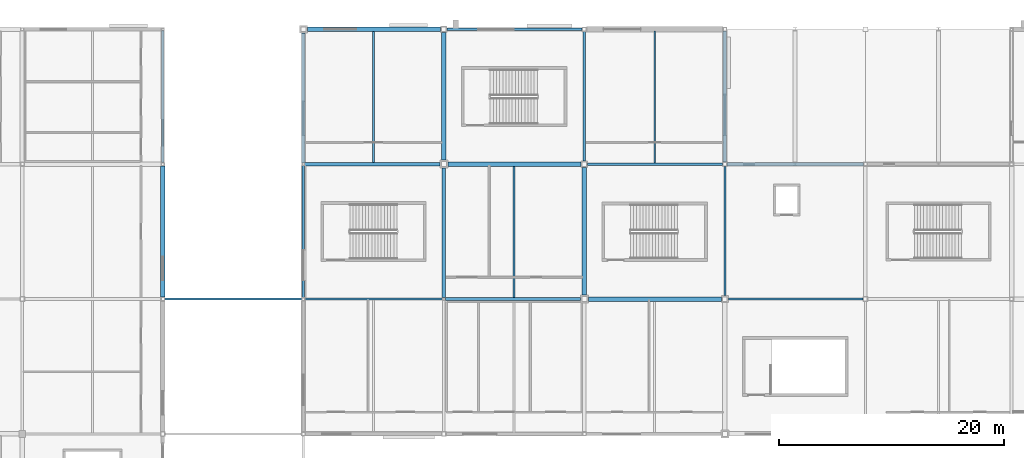
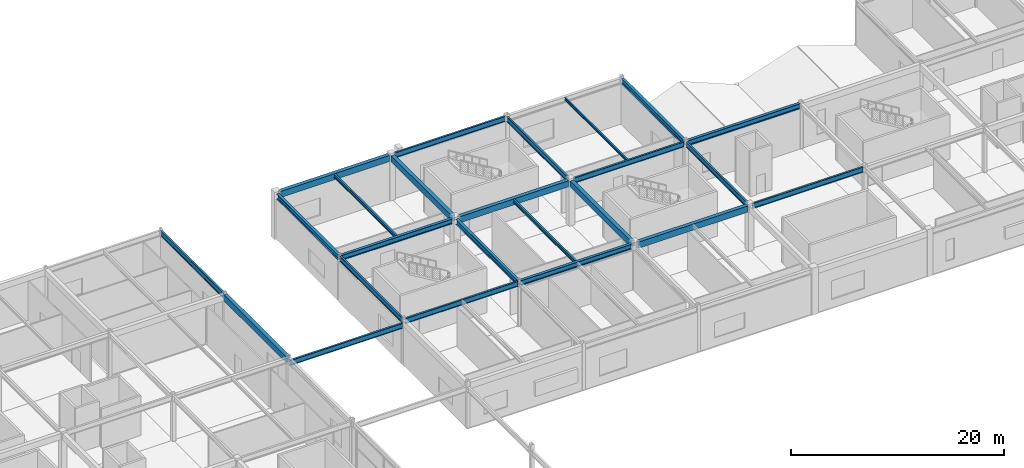
# One storey, part 52 of 105: 24 beams.
"""IFC4 building model written with IfcOpenShell, lengths in metres."""

from ifc_helpers import new_model, si_unit, direction, frame, origin, origin_2d, place, context, subcontext, project, spatial, rectangle, i_section, extrude, material, material_profile, profile_set, type_object, element, save


model = new_model("IFC4")

# Units and contexts
model_context = context("Model", 3, precision=1e-05, world=origin(), true_north=direction((0.0, 1.0)))
body_context = subcontext(model_context, "Body", "Model", "MODEL_VIEW")
ifc_project = project(units=[si_unit("LENGTHUNIT", "METRE"), si_unit("AREAUNIT", "SQUARE_METRE"), si_unit("VOLUMEUNIT", "CUBIC_METRE"), si_unit("PLANEANGLEUNIT", "RADIAN"), si_unit("MASSUNIT", "GRAM", prefix="KILO")], contexts=[model_context])

# Site, building, storey
site_placement = place(None, origin())
site = spatial("IfcSite", under=ifc_project, at=site_placement, CompositionType="ELEMENT")
building_placement = place(site_placement, origin())
building = spatial("IfcBuilding", under=site, at=building_placement, Name="Kazenohara Klinker Stadium", CompositionType="ELEMENT")
storey_placement = place(building_placement, frame((0.0, 0.0, 20.39990234375)))
storey = spatial("IfcBuildingStorey", under=building, at=storey_placement, Name="L04", CompositionType="ELEMENT", Elevation=20.39990234375)

# Beams
ifc_material_1 = material(Name="Steel S355", Category="steel")
ifc_material_profile_1 = material_profile(ifc_material_1, i_section(OverallWidth=0.199951171875, OverallDepth=0.39990234375, WebThickness=0.008056640625, FlangeThickness=0.012939453125, FilletRadius=0.012939453125, at=origin_2d()), Name="H-400x200x8x13")
ifc_profile_set_1 = profile_set([ifc_material_profile_1], Name="Steel S355")
beam_type_1 = type_object("IfcBeamType", Name="BM-JST03", PredefinedType="JOIST", material=ifc_profile_set_1)
for number, where, z_axis, x_axis, name in (
    (1, (55.25, 156.14990234375, 4.97998046875), (0.0, 1.0, 0.0), (-1.0, 0.0, 0.0), "Secondary floor joist SJ03 L04 5/P"),
    (2, (67.75, 144.14990234375, 4.97998046875), (0.0, 1.0, 0.0), (-1.0, 0.0, 0.0), "Secondary floor joist SJ03 L04 6/N"),
):
    element("IfcBeam", number, at=place(storey_placement, frame(where, z_axis=z_axis, x_axis=x_axis)), inside=storey, type_object=beam_type_1, Name=name, PredefinedType="JOIST", context=body_context, shape_type="SweptSolid", body=[
        extrude(i_section(OverallWidth=0.199951171875, OverallDepth=0.39990234375, WebThickness=0.008056640625, FlangeThickness=0.012939453125, FilletRadius=0.012939453125, at=origin_2d()), origin(), (0.0, 0.0, 1.0), 11.650146484375),
    ])
ifc_material_profile_2 = material_profile(ifc_material_1, i_section(OverallWidth=0.14990234375, OverallDepth=0.300048828125, WebThickness=0.006591796875, FlangeThickness=0.009033203125, FilletRadius=0.012939453125, at=origin_2d()), Name="H-300x150x6.5x9")
ifc_profile_set_2 = profile_set([ifc_material_profile_2], Name="Steel S355")
beam_type_2 = type_object("IfcBeamType", Name="BM-JST05", PredefinedType="JOIST", material=ifc_profile_set_2)
beam_1_placement = place(storey_placement, frame((80.25, 156.10009765625, 5.030029296875), z_axis=(0.0, 1.0, 0.0), x_axis=(-1.0, 0.0, 0.0)))
element("IfcBeam", 3, at=beam_1_placement, inside=storey, type_object=beam_type_2, Name="Secondary floor joist SJ05 L04 7/P", PredefinedType="JOIST", context=body_context, shape_type="SweptSolid", body=[
    extrude(i_section(OverallWidth=0.14990234375, OverallDepth=0.300048828125, WebThickness=0.006591796875, FlangeThickness=0.009033203125, FilletRadius=0.012939453125, at=origin_2d()), origin(), (0.0, 0.0, 1.0), 11.75),
])
ifc_material_2 = material(Name="Concrete C40/50", Category="concrete")
ifc_material_profile_3 = material_profile(ifc_material_2, rectangle(XDim=0.39990234375, YDim=0.699951171875, at=origin_2d()), Name="RC-BM-400x700")
ifc_profile_set_3 = profile_set([ifc_material_profile_3], Name="Concrete C40/50")
beam_type_3 = type_object("IfcBeamType", Name="BM-RC04", PredefinedType="BEAM", material=ifc_profile_set_3)
for number, where, z_axis, x_axis, name in (
    (4, (49.35009765625, 168.0, 4.830078125), (1.0, 0.0, 0.0), (0.0, 1.0, 0.0), "Primary girder BG04 L04 5-6/Q"),
    (5, (61.85009765625, 156.0, 4.830078125), (1.0, 0.0, 0.0), (0.0, 1.0, 0.0), "Primary girder BG04 L04 6-7/P"),
    (6, (74.35009765625, 144.0, 4.830078125), (1.0, 0.0, 0.0), (0.0, 1.0, 0.0), "Primary girder BG04 L04 7-8/N"),
):
    element("IfcBeam", number, at=place(storey_placement, frame(where, z_axis=z_axis, x_axis=x_axis)), inside=storey, type_object=beam_type_3, Name=name, PredefinedType="BEAM", context=body_context, shape_type="SweptSolid", body=[
        extrude(rectangle(XDim=0.39990234375, YDim=0.699951171875, at=origin_2d()), origin(), (0.0, 0.0, 1.0), 11.849853515625),
    ])
beam_2_placement = place(storey_placement, frame((36.5, 144.175048828125, 4.830078125), z_axis=(0.0, 1.0, 0.0), x_axis=(-1.0, 0.0, 0.0)))
element("IfcBeam", 7, at=beam_2_placement, inside=storey, type_object=beam_type_3, Name="Primary girder BG04 L04 4/N-P", PredefinedType="BEAM", context=body_context, shape_type="SweptSolid", body=[
    extrude(rectangle(XDim=0.39990234375, YDim=0.699951171875, at=origin_2d()), origin(), (0.0, 0.0, 1.0), 11.675048828125),
])
for number, where, z_axis, x_axis, name in (
    (8, (61.5, 156.35009765625, 4.830078125), (0.0, 1.0, 0.0), (-1.0, 0.0, 0.0), "Primary girder BG04 L04 6/P-Q"),
    (9, (74.0, 144.35009765625, 4.830078125), (0.0, 1.0, 0.0), (-1.0, 0.0, 0.0), "Primary girder BG04 L04 7/N-P"),
):
    element("IfcBeam", number, at=place(storey_placement, frame(where, z_axis=z_axis, x_axis=x_axis)), inside=storey, type_object=beam_type_3, Name=name, PredefinedType="BEAM", context=body_context, shape_type="SweptSolid", body=[
        extrude(rectangle(XDim=0.39990234375, YDim=0.699951171875, at=origin_2d()), origin(), (0.0, 0.0, 1.0), 11.349853515625),
    ])
ifc_material_profile_4 = material_profile(ifc_material_1, i_section(OverallWidth=0.199951171875, OverallDepth=0.60009765625, WebThickness=0.010986328125, FlangeThickness=0.01708984375, FilletRadius=0.012939453125, at=origin_2d()), Name="H-600x200x11x17")
ifc_profile_set_4 = profile_set([ifc_material_profile_4], Name="Steel S355")
beam_type_4 = type_object("IfcBeamType", Name="BM-ST04", PredefinedType="BEAM", material=ifc_profile_set_4)
beam_3_placement = place(storey_placement, frame((49.14990234375, 144.0, 4.880126953125), z_axis=(1.0, 0.0, 0.0), x_axis=(0.0, 1.0, 0.0)))
element("IfcBeam", 10, at=beam_3_placement, inside=storey, type_object=beam_type_4, Name="Primary girder SB04 L04 5-6/N", PredefinedType="BEAM", context=body_context, shape_type="SweptSolid", body=[
    extrude(i_section(OverallWidth=0.199951171875, OverallDepth=0.60009765625, WebThickness=0.010986328125, FlangeThickness=0.01708984375, FilletRadius=0.012939453125, at=origin_2d()), origin(), (0.0, 0.0, 1.0), 12.22509765625),
])
for number, where, z_axis, x_axis, name in (
    (11, (61.800048828125, 168.0, 4.880126953125), (1.0, 0.0, 0.0), (0.0, 1.0, 0.0), "Primary girder SB04 L04 6-7/Q"),
    (12, (74.300048828125, 156.0, 4.880126953125), (1.0, 0.0, 0.0), (0.0, 1.0, 0.0), "Primary girder SB04 L04 7-8/P"),
    (13, (86.800048828125, 144.0, 4.880126953125), (1.0, 0.0, 0.0), (0.0, 1.0, 0.0), "Primary girder SB04 L04 8-9/N"),
):
    element("IfcBeam", number, at=place(storey_placement, frame(where, z_axis=z_axis, x_axis=x_axis)), inside=storey, type_object=beam_type_4, Name=name, PredefinedType="BEAM", context=body_context, shape_type="SweptSolid", body=[
        extrude(i_section(OverallWidth=0.199951171875, OverallDepth=0.60009765625, WebThickness=0.010986328125, FlangeThickness=0.01708984375, FilletRadius=0.012939453125, at=origin_2d()), origin(), (0.0, 0.0, 1.0), 12.0),
    ])
for number, where, z_axis, x_axis, name in (
    (14, (36.5, 156.14990234375, 4.880126953125), (0.0, 1.0, 0.0), (-1.0, 0.0, 0.0), "Primary girder SB04 L04 4/P-Q"),
    (15, (49.0, 144.14990234375, 4.880126953125), (0.0, 1.0, 0.0), (-1.0, 0.0, 0.0), "Primary girder SB04 L04 5/N-P"),
):
    element("IfcBeam", number, at=place(storey_placement, frame(where, z_axis=z_axis, x_axis=x_axis)), inside=storey, type_object=beam_type_4, Name=name, PredefinedType="BEAM", context=body_context, shape_type="SweptSolid", body=[
        extrude(i_section(OverallWidth=0.199951171875, OverallDepth=0.60009765625, WebThickness=0.010986328125, FlangeThickness=0.01708984375, FilletRadius=0.012939453125, at=origin_2d()), origin(), (0.0, 0.0, 1.0), 11.72509765625),
    ])
for number, where, z_axis, x_axis, name in (
    (16, (74.0, 156.300048828125, 4.880126953125), (0.0, 1.0, 0.0), (-1.0, 0.0, 0.0), "Primary girder SB04 L04 7/P-Q"),
    (17, (86.5, 144.300048828125, 4.880126953125), (0.0, 1.0, 0.0), (-1.0, 0.0, 0.0), "Primary girder SB04 L04 8/N-P"),
):
    element("IfcBeam", number, at=place(storey_placement, frame(where, z_axis=z_axis, x_axis=x_axis)), inside=storey, type_object=beam_type_4, Name=name, PredefinedType="BEAM", context=body_context, shape_type="SweptSolid", body=[
        extrude(i_section(OverallWidth=0.199951171875, OverallDepth=0.60009765625, WebThickness=0.010986328125, FlangeThickness=0.01708984375, FilletRadius=0.012939453125, at=origin_2d()), origin(), (0.0, 0.0, 1.0), 11.5),
    ])
beam_4_placement = place(storey_placement, frame((36.639892578125, 144.0, 4.4501953125), z_axis=(1.0, 0.0, 0.0), x_axis=(0.0, 1.0, 0.0)))
element("IfcBeam", 18, at=beam_4_placement, inside=storey, type_object=beam_type_4, Name="Canopy tie girder SB04 L04 4-5/N", PredefinedType="BEAM", context=body_context, shape_type="SweptSolid", body=[
    extrude(i_section(OverallWidth=0.199951171875, OverallDepth=0.60009765625, WebThickness=0.010986328125, FlangeThickness=0.01708984375, FilletRadius=0.012939453125, at=origin_2d()), origin(), (0.0, 0.0, 1.0), 12.22021484375),
])
ifc_material_profile_5 = material_profile(ifc_material_1, i_section(OverallWidth=0.300048828125, OverallDepth=0.587890625, WebThickness=0.011962890625, FlangeThickness=0.02001953125, FilletRadius=0.02197265625, at=origin_2d()), Name="H-588x300x12x20")
ifc_profile_set_5 = profile_set([ifc_material_profile_5], Name="Steel S355")
beam_type_5 = type_object("IfcBeamType", Name="BM-ST05", PredefinedType="BEAM", material=ifc_profile_set_5)
for number, where, z_axis, x_axis, name in (
    (19, (49.125, 156.0, 4.885986328125), (1.0, 0.0, 0.0), (0.0, 1.0, 0.0), "Primary girder SB05 L04 5-6/P"),
    (20, (61.625, 144.0, 4.885986328125), (1.0, 0.0, 0.0), (0.0, 1.0, 0.0), "Primary girder SB05 L04 6-7/N"),
):
    element("IfcBeam", number, at=place(storey_placement, frame(where, z_axis=z_axis, x_axis=x_axis)), inside=storey, type_object=beam_type_5, Name=name, PredefinedType="BEAM", context=body_context, shape_type="SweptSolid", body=[
        extrude(i_section(OverallWidth=0.300048828125, OverallDepth=0.587890625, WebThickness=0.011962890625, FlangeThickness=0.02001953125, FilletRadius=0.02197265625, at=origin_2d()), origin(), (0.0, 0.0, 1.0), 12.02490234375),
    ])
beam_5_placement = place(storey_placement, frame((86.699951171875, 156.0, 4.885986328125), z_axis=(1.0, 0.0, 0.0), x_axis=(0.0, 1.0, 0.0)))
element("IfcBeam", 21, at=beam_5_placement, inside=storey, type_object=beam_type_5, Name="Primary girder SB05 L04 8-9/P", PredefinedType="BEAM", context=body_context, shape_type="SweptSolid", body=[
    extrude(i_section(OverallWidth=0.300048828125, OverallDepth=0.587890625, WebThickness=0.011962890625, FlangeThickness=0.02001953125, FilletRadius=0.02197265625, at=origin_2d()), origin(), (0.0, 0.0, 1.0), 12.125),
])
for number, where, z_axis, x_axis, name in (
    (22, (49.0, 156.125, 4.885986328125), (0.0, 1.0, 0.0), (-1.0, 0.0, 0.0), "Primary girder SB05 L04 5/P-Q"),
    (23, (61.5, 144.125, 4.885986328125), (0.0, 1.0, 0.0), (-1.0, 0.0, 0.0), "Primary girder SB05 L04 6/N-P"),
):
    element("IfcBeam", number, at=place(storey_placement, frame(where, z_axis=z_axis, x_axis=x_axis)), inside=storey, type_object=beam_type_5, Name=name, PredefinedType="BEAM", context=body_context, shape_type="SweptSolid", body=[
        extrude(i_section(OverallWidth=0.300048828125, OverallDepth=0.587890625, WebThickness=0.011962890625, FlangeThickness=0.02001953125, FilletRadius=0.02197265625, at=origin_2d()), origin(), (0.0, 0.0, 1.0), 11.52490234375),
    ])
beam_6_placement = place(storey_placement, frame((86.5, 156.199951171875, 4.885986328125), z_axis=(0.0, 1.0, 0.0), x_axis=(-1.0, 0.0, 0.0)))
element("IfcBeam", 24, at=beam_6_placement, inside=storey, type_object=beam_type_5, Name="Primary girder SB05 L04 8/P-Q", PredefinedType="BEAM", context=body_context, shape_type="SweptSolid", body=[
    extrude(i_section(OverallWidth=0.300048828125, OverallDepth=0.587890625, WebThickness=0.011962890625, FlangeThickness=0.02001953125, FilletRadius=0.02197265625, at=origin_2d()), origin(), (0.0, 0.0, 1.0), 11.625),
])

save(model, "model.ifc")
